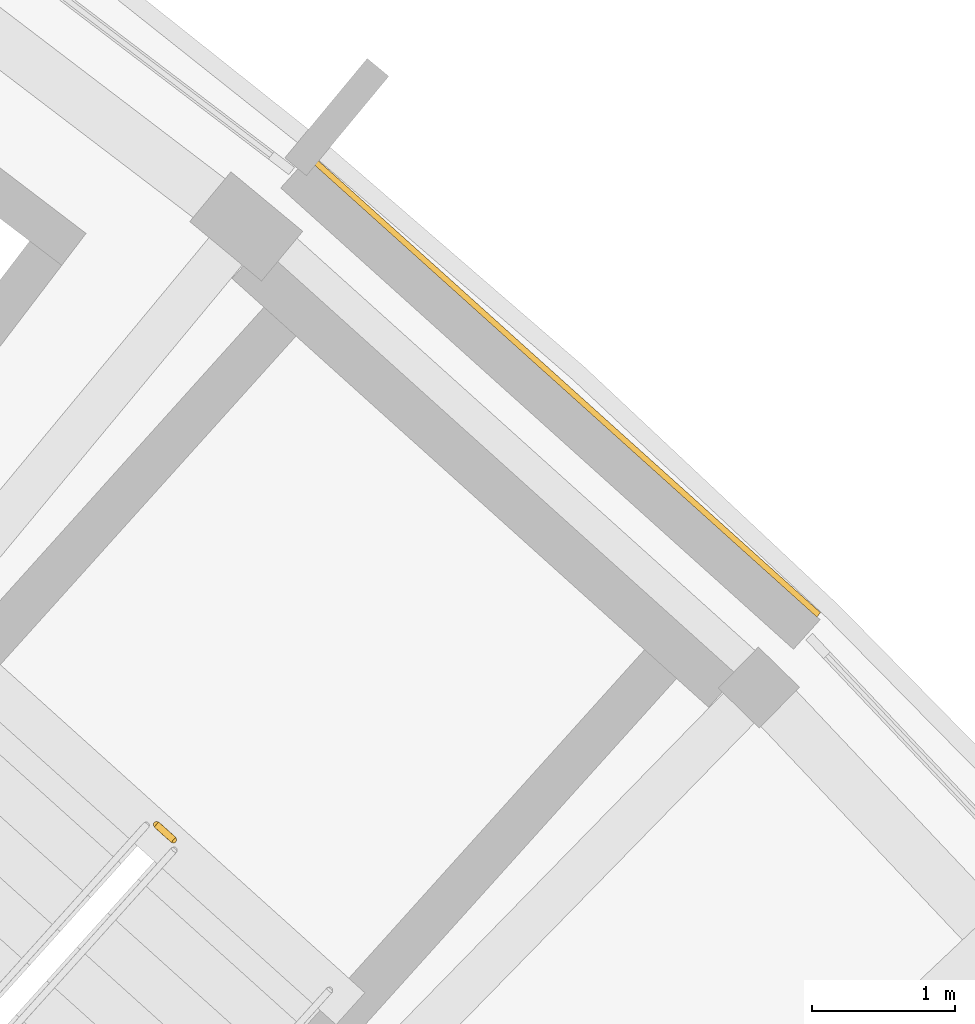
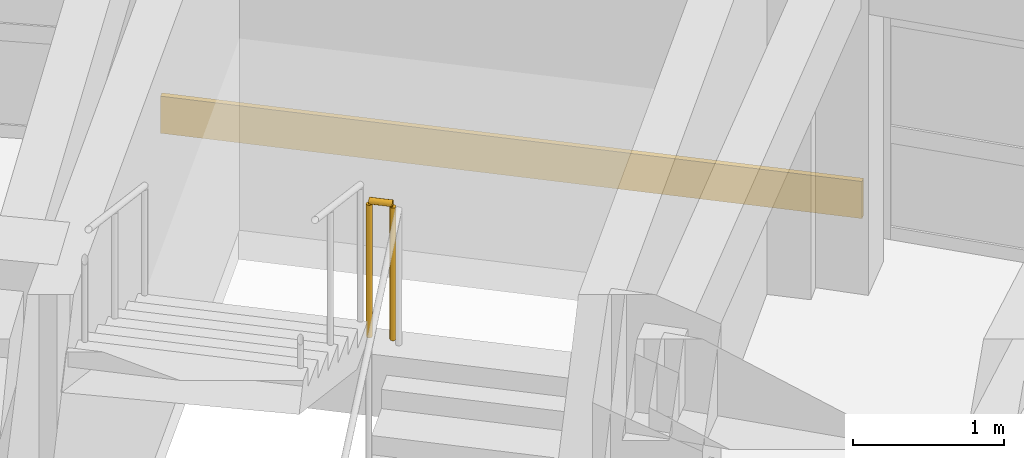
# One storey, part 38 of 38: 1 covering, 1 railing.
"""IFC4 building model written with IfcOpenShell, lengths in metres."""

from ifc_helpers import new_model, si_unit, direction, frame, origin, origin_2d, place, context, subcontext, project, spatial, rectangle, circle, extrude, material, layer, layer_set, type_object, element, save


model = new_model("IFC4")

# Units and contexts
model_context = context("Model", 3, precision=1e-05, world=origin(), true_north=direction((0.0, 1.0)))
body_context = subcontext(model_context, "Body", "Model", "MODEL_VIEW")
ifc_project = project(units=[si_unit("LENGTHUNIT", "METRE"), si_unit("AREAUNIT", "SQUARE_METRE"), si_unit("VOLUMEUNIT", "CUBIC_METRE"), si_unit("PLANEANGLEUNIT", "RADIAN"), si_unit("MASSUNIT", "GRAM", prefix="KILO")], contexts=[model_context])

# Site, building, storey
site_placement = place(None, origin())
site = spatial("IfcSite", under=ifc_project, at=site_placement, CompositionType="ELEMENT")
building_placement = place(site_placement, origin())
building = spatial("IfcBuilding", under=site, at=building_placement, Name="Zimvara Arc Housing Community", CompositionType="ELEMENT")
storey_placement = place(building_placement, frame((0.0, 0.0, 29.800048828125)))
storey = spatial("IfcBuildingStorey", under=building, at=storey_placement, Name="L09", CompositionType="ELEMENT", Elevation=29.800048828125)

# Covering
ifc_material_1 = material(Name="Pale-Gold Anodised Aluminium Cladding", Category="aluminium")
ifc_layer = layer(ifc_material_1, 0.0400390625)
ifc_layer_set = layer_set([ifc_layer], Name="Pale-Gold Anodised Aluminium Cladding")
covering_type = type_object("IfcCoveringType", Name="CLD-GOLD-01", PredefinedType="CLADDING", material=ifc_layer_set)
covering_placement = place(storey_placement, frame((84.78955078125, 88.7216796875, 0.009765625), z_axis=(0.0, 0.0, 1.0), x_axis=(0.74337718344, -0.668872456557, 0.0)))
element("IfcCovering", 1, at=covering_placement, inside=storey, type_object=covering_type, Name="cld:blkB:L09:out:b8", PredefinedType="CLADDING", context=body_context, shape_type="SweptSolid", body=[
    extrude(rectangle(XDim=4.748779296875, YDim=0.0400390625, at=origin_2d()), origin(), (0.0, 0.0, 1.0), 0.300048828125),
])

# Railing
ifc_material_2 = material(Name="Anodised Aluminium AW-6063", Category="aluminium")
railing_type = type_object("IfcRailingType", Name="RLG-BAL-1120", PredefinedType="BALUSTRADE", material=ifc_material_2)
railing_placement = place(storey_placement, frame((82.05615234375, 85.564208984375, 1.550048828125)))
element("IfcRailing", 2, at=railing_placement, inside=storey, type_object=railing_type, Name="L09 ST-B2 stair guard 2", PredefinedType="BALUSTRADE", context=body_context, shape_type="SweptSolid", body=[
    extrude(circle(Radius=0.02392578125, at=origin_2d()), frame((0.0, 0.0, 1.09619140625), z_axis=(-0.744203407529, 0.667953058397, 0.0), x_axis=(-0.667953058397, -0.744203407529, 0.0)), (0.0, 0.0, 1.0), 0.16015625),
    extrude(circle(Radius=0.02099609375, at=origin_2d()), origin(), (0.0, 0.0, 1.0), 1.072021484375),
    extrude(circle(Radius=0.02099609375, at=origin_2d()), frame((-0.119140625, 0.10693359375, 0.0)), (0.0, 0.0, 1.0), 1.072021484375),
])

save(model, "model.ifc")
